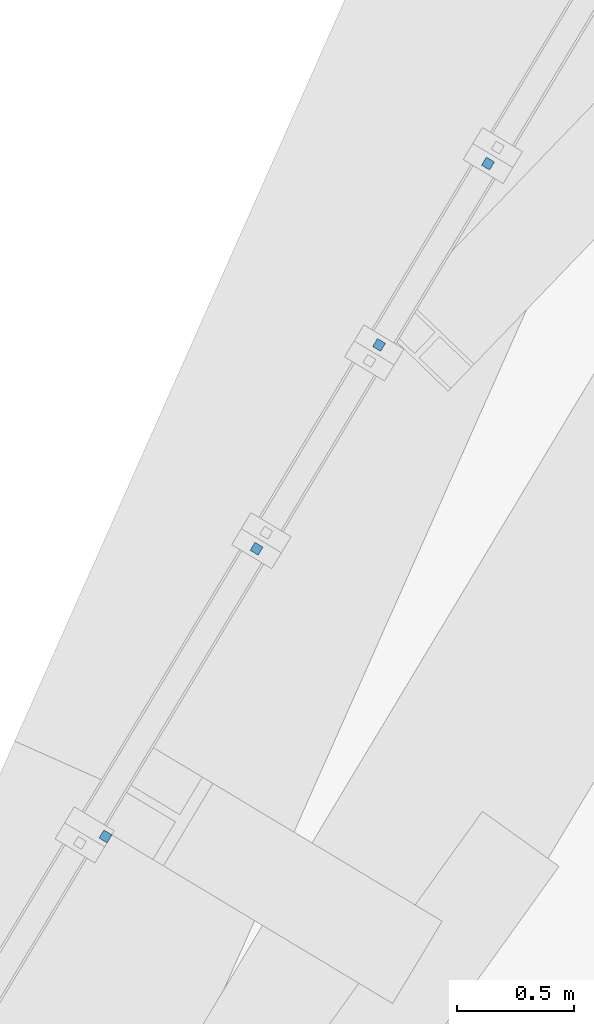
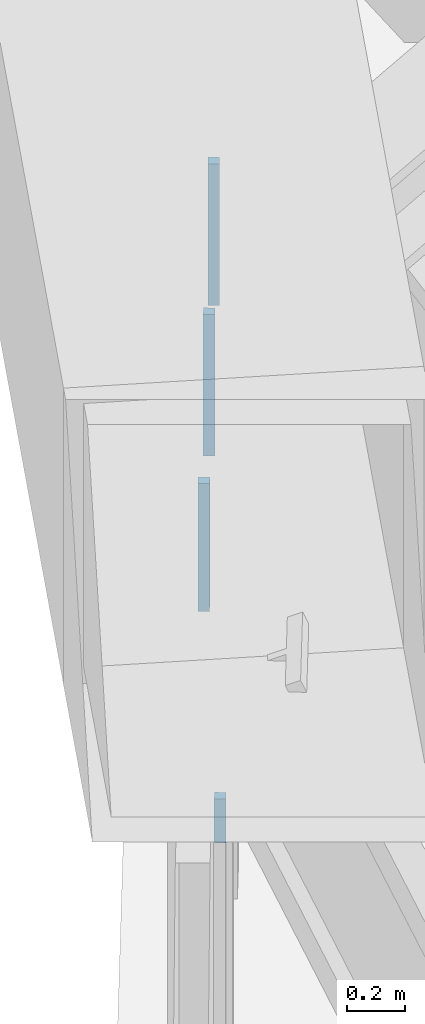
# One storey, part 22 of 28: 4 discrete accessories.
"""IFC4 building model written with IfcOpenShell, lengths in metres."""

from ifc_helpers import new_model, si_unit, direction, frame, origin, origin_2d, place, context, subcontext, project, spatial, rectangle, extrude, source, transform, mapped, material, element, save


model = new_model("IFC4")

# Units and contexts
model_context = context("Model", 3, precision=1e-05, world=origin(), true_north=direction((0.0, 1.0)))
body_context = subcontext(model_context, "Body", "Model", "MODEL_VIEW")
ifc_project = project(units=[si_unit("LENGTHUNIT", "METRE"), si_unit("AREAUNIT", "SQUARE_METRE"), si_unit("VOLUMEUNIT", "CUBIC_METRE"), si_unit("PLANEANGLEUNIT", "RADIAN"), si_unit("MASSUNIT", "GRAM", prefix="KILO")], contexts=[model_context])

# Site, building, storey
site_placement = place(None, origin())
site = spatial("IfcSite", under=ifc_project, at=site_placement, CompositionType="ELEMENT")
building_placement = place(site_placement, origin())
building = spatial("IfcBuilding", under=site, at=building_placement, Name="Triune Harvest Tower", CompositionType="ELEMENT")
storey_placement = place(building_placement, frame((0.0, 0.0, 215.89990234375)))
storey = spatial("IfcBuildingStorey", under=building, at=storey_placement, Name="L56", CompositionType="ELEMENT", Elevation=215.89990234375)

# Discrete accessories
ifc_material = material(Name="Steel ASTM A992 Gr 50", Category="steel")
shared_shape_1 = source(origin(), body_context, "Body", "SweptSolid", [
    extrude(rectangle(XDim=0.0400390625, YDim=0.0400390625, at=origin_2d()), origin(), (0.0, 0.0, 1.0), 0.539794921875),
])
discrete_accessory_1_placement = place(storey_placement, frame((-10.452392578125, 22.7509765625, 1.8505859375), z_axis=(0.0, 0.0, 1.0), x_axis=(-0.51503657887, -0.857168199612, 0.0)))
element("IfcDiscreteAccessory", 1, at=discrete_accessory_1_placement, inside=storey, material=ifc_material, Name="Mullion end bracket B5-F3 L56.801 upper", ObjectType="BRACKET", PredefinedType="USERDEFINED", context=body_context, shape_type="MappedRepresentation", body=[
    mapped(shared_shape_1, transform((0.0, 0.0, 0.0), scale=1.0)),
])
shared_shape_2 = source(origin(), body_context, "Body", "SweptSolid", [
    extrude(rectangle(XDim=0.0400390625, YDim=0.0400390625, at=origin_2d()), origin(), (0.0, 0.0, 1.0), 0.59619140625),
])
for number, where, z_axis, x_axis, name in (
    (2, (-9.461669921875, 24.399658203125, 1.7939453125), (0.0, 0.0, 1.0), (-0.515091931303, -0.857134938214, 0.0), "Mullion end bracket B5-F3 L56.601 upper"),
    (3, (-9.92822265625, 23.623291015625, 1.7939453125), (0.0, 0.0, 1.0), (-0.515091931303, -0.857134938214, 0.0), "Mullion end bracket B5-F3 L56.601 upper"),
):
    element("IfcDiscreteAccessory", number, at=place(storey_placement, frame(where, z_axis=z_axis, x_axis=x_axis)), inside=storey, material=ifc_material, Name=name, ObjectType="BRACKET", PredefinedType="USERDEFINED", context=body_context, shape_type="MappedRepresentation", body=[
        mapped(shared_shape_2, transform((0.0, 0.0, 0.0), scale=1.0)),
    ])
discrete_accessory_2_placement = place(storey_placement, frame((-11.09912109375, 21.519287109375, 1.8505859375), z_axis=(0.0, 0.0, 1.0), x_axis=(-0.51503657887, -0.857168199612, 0.0)))
element("IfcDiscreteAccessory", 4, at=discrete_accessory_2_placement, inside=storey, material=ifc_material, Name="Mullion end bracket B5-F3 L56.801 upper", ObjectType="BRACKET", PredefinedType="USERDEFINED", context=body_context, shape_type="SweptSolid", body=[
    extrude(rectangle(XDim=0.0400390625, YDim=0.0400390625, at=origin_2d()), origin(), (0.0, 0.0, 1.0), 0.184814453125),
])

save(model, "model.ifc")
